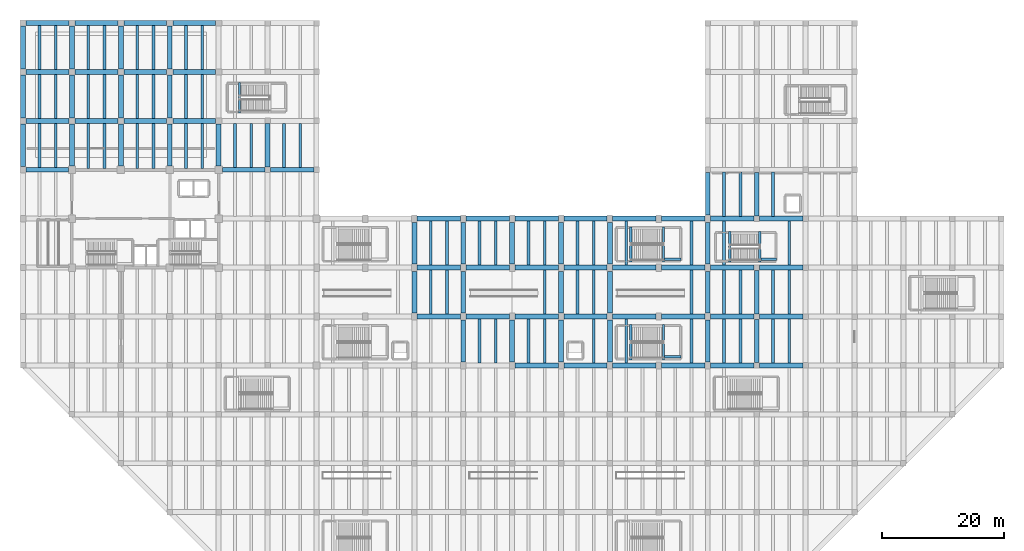
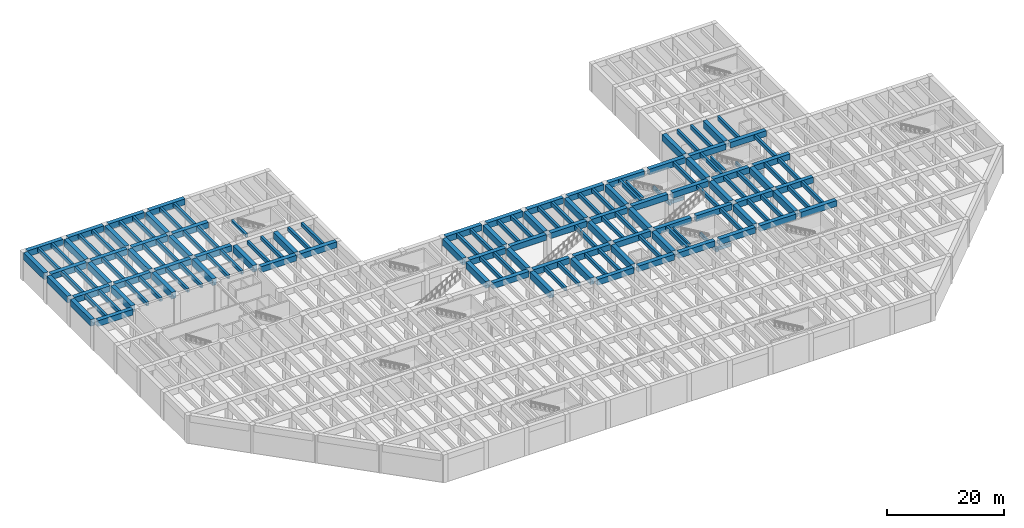
# One storey, part 4 of 24: 153 beams.
"""IFC4 building model written with IfcOpenShell, lengths in metres."""

from ifc_helpers import new_model, si_unit, direction, frame, origin, origin_2d, place, context, subcontext, project, spatial, rectangle, extrude, material, material_profile, profile_set, type_object, element, save


model = new_model("IFC4")

# Units and contexts
model_context = context("Model", 3, precision=1e-05, world=origin(), true_north=direction((0.0, 1.0)))
body_context = subcontext(model_context, "Body", "Model", "MODEL_VIEW")
ifc_project = project(units=[si_unit("LENGTHUNIT", "METRE"), si_unit("AREAUNIT", "SQUARE_METRE"), si_unit("VOLUMEUNIT", "CUBIC_METRE"), si_unit("PLANEANGLEUNIT", "RADIAN"), si_unit("MASSUNIT", "GRAM", prefix="KILO")], contexts=[model_context])

# Site, building, storey
site_placement = place(None, origin())
site = spatial("IfcSite", under=ifc_project, at=site_placement, CompositionType="ELEMENT")
building_placement = place(site_placement, origin())
building = spatial("IfcBuilding", under=site, at=building_placement, Name="Varnela Railside Interchange", CompositionType="ELEMENT")
storey_placement = place(building_placement, frame((0.0, 0.0, -6.300048828125)))
storey = spatial("IfcBuildingStorey", under=building, at=storey_placement, Name="B1", CompositionType="ELEMENT", Elevation=-6.300048828125)

# Beams
ifc_material_1 = material(Name="Concrete C50", Category="concrete")
ifc_material_profile_1 = material_profile(ifc_material_1, rectangle(XDim=0.800048828125, YDim=1.199951171875, at=origin_2d()), Name="RC 800x1200")
ifc_profile_set_1 = profile_set([ifc_material_profile_1], Name="Concrete C50")
beam_type_1 = type_object("IfcBeamType", Name="Bus Deck Heavy Girder B-09", PredefinedType="BEAM", material=ifc_profile_set_1)
for number, where, z_axis, x_axis, name in (
    (1, (84.449951171875, 38.0, 5.25), (1.0, 0.0, 0.0), (0.0, 1.0, 0.0), "Bus Deck Heavy Girder B-09 (B1) (BM-0737)"),
    (2, (92.449951171875, 38.0, 5.25), (1.0, 0.0, 0.0), (0.0, 1.0, 0.0), "Bus Deck Heavy Girder B-09 (B1) (BM-0738)"),
    (3, (100.449951171875, 38.0, 5.25), (1.0, 0.0, 0.0), (0.0, 1.0, 0.0), "Bus Deck Heavy Girder B-09 (B1) (BM-0719)"),
    (4, (108.449951171875, 38.0, 5.25), (1.0, 0.0, 0.0), (0.0, 1.0, 0.0), "Bus Deck Heavy Girder B-09 (B1) (BM-0720)"),
    (5, (116.449951171875, 38.0, 5.25), (1.0, 0.0, 0.0), (0.0, 1.0, 0.0), "Bus Deck Heavy Girder B-09 (B1) (BM-0721)"),
    (6, (124.449951171875, 38.0, 5.25), (1.0, 0.0, 0.0), (0.0, 1.0, 0.0), "Bus Deck Heavy Girder B-09 (B1) (BM-0722)"),
    (7, (68.449951171875, 46.0, 5.25), (1.0, 0.0, 0.0), (0.0, 1.0, 0.0), "Bus Deck Heavy Girder B-09 (B1) (BM-0755)"),
    (8, (76.449951171875, 46.0, 5.25), (1.0, 0.0, 0.0), (0.0, 1.0, 0.0), "Bus Deck Heavy Girder B-09 (B1) (BM-0756)"),
    (9, (84.449951171875, 46.0, 5.25), (1.0, 0.0, 0.0), (0.0, 1.0, 0.0), "Bus Deck Heavy Girder B-09 (B1) (BM-0757)"),
    (10, (92.449951171875, 46.0, 5.25), (1.0, 0.0, 0.0), (0.0, 1.0, 0.0), "Bus Deck Heavy Girder B-09 (B1) (BM-0758)"),
    (11, (100.449951171875, 46.0, 5.25), (1.0, 0.0, 0.0), (0.0, 1.0, 0.0), "Bus Deck Heavy Girder B-09 (B1) (BM-0739)"),
    (12, (108.449951171875, 46.0, 5.25), (1.0, 0.0, 0.0), (0.0, 1.0, 0.0), "Bus Deck Heavy Girder B-09 (B1) (BM-0740)"),
    (13, (116.449951171875, 46.0, 5.25), (1.0, 0.0, 0.0), (0.0, 1.0, 0.0), "Bus Deck Heavy Girder B-09 (B1) (BM-0741)"),
    (14, (124.449951171875, 46.0, 5.25), (1.0, 0.0, 0.0), (0.0, 1.0, 0.0), "Bus Deck Heavy Girder B-09 (B1) (BM-0742)"),
    (15, (68.449951171875, 54.0, 5.25), (1.0, 0.0, 0.0), (0.0, 1.0, 0.0), "Bus Deck Heavy Girder B-09 (B1) (BM-0772)"),
    (16, (76.449951171875, 54.0, 5.25), (1.0, 0.0, 0.0), (0.0, 1.0, 0.0), "Bus Deck Heavy Girder B-09 (B1) (BM-0773)"),
    (17, (84.449951171875, 54.0, 5.25), (1.0, 0.0, 0.0), (0.0, 1.0, 0.0), "Bus Deck Heavy Girder B-09 (B1) (BM-0774)"),
    (18, (92.449951171875, 54.0, 5.25), (1.0, 0.0, 0.0), (0.0, 1.0, 0.0), "Bus Deck Heavy Girder B-09 (B1) (BM-0775)"),
    (19, (100.449951171875, 54.0, 5.25), (1.0, 0.0, 0.0), (0.0, 1.0, 0.0), "Bus Deck Heavy Girder B-09 (B1) (BM-0759)"),
    (20, (108.449951171875, 54.0, 5.25), (1.0, 0.0, 0.0), (0.0, 1.0, 0.0), "Bus Deck Heavy Girder B-09 (B1) (BM-0760)"),
    (21, (116.449951171875, 54.0, 5.25), (1.0, 0.0, 0.0), (0.0, 1.0, 0.0), "Bus Deck Heavy Girder B-09 (B1) (BM-0761)"),
    (22, (124.449951171875, 54.0, 5.25), (1.0, 0.0, 0.0), (0.0, 1.0, 0.0), "Bus Deck Heavy Girder B-09 (B1) (BM-0762)"),
    (23, (68.449951171875, 62.0, 5.25), (1.0, 0.0, 0.0), (0.0, 1.0, 0.0), "Bus Deck Heavy Girder B-09 (B1) (BM-0789)"),
    (24, (76.449951171875, 62.0, 5.25), (1.0, 0.0, 0.0), (0.0, 1.0, 0.0), "Bus Deck Heavy Girder B-09 (B1) (BM-0790)"),
    (25, (84.449951171875, 62.0, 5.25), (1.0, 0.0, 0.0), (0.0, 1.0, 0.0), "Bus Deck Heavy Girder B-09 (B1) (BM-0791)"),
    (26, (92.449951171875, 62.0, 5.25), (1.0, 0.0, 0.0), (0.0, 1.0, 0.0), "Bus Deck Heavy Girder B-09 (B1) (BM-0792)"),
    (27, (100.449951171875, 62.0, 5.25), (1.0, 0.0, 0.0), (0.0, 1.0, 0.0), "Bus Deck Heavy Girder B-09 (B1) (BM-0776)"),
    (28, (108.449951171875, 62.0, 5.25), (1.0, 0.0, 0.0), (0.0, 1.0, 0.0), "Bus Deck Heavy Girder B-09 (B1) (BM-0777)"),
    (29, (116.449951171875, 62.0, 5.25), (1.0, 0.0, 0.0), (0.0, 1.0, 0.0), "Bus Deck Heavy Girder B-09 (B1) (BM-0778)"),
    (30, (124.449951171875, 62.0, 5.25), (1.0, 0.0, 0.0), (0.0, 1.0, 0.0), "Bus Deck Heavy Girder B-09 (B1) (BM-0779)"),
):
    element("IfcBeam", number, at=place(storey_placement, frame(where, z_axis=z_axis, x_axis=x_axis)), inside=storey, type_object=beam_type_1, Name=name, PredefinedType="BEAM", context=body_context, shape_type="SweptSolid", body=[
        extrude(rectangle(XDim=0.800048828125, YDim=1.199951171875, at=origin_2d()), origin(), (0.0, 0.0, 1.0), 7.10009765625),
    ])
beam_1_placement = place(storey_placement, frame((4.5, 70.0, 5.25), z_axis=(1.0, 0.0, 0.0), x_axis=(0.0, 1.0, 0.0)))
element("IfcBeam", 31, at=beam_1_placement, inside=storey, type_object=beam_type_1, Name="Bus Deck Heavy Girder B-09 (B1) (BM-0798)", PredefinedType="BEAM", context=body_context, shape_type="SweptSolid", body=[
    extrude(rectangle(XDim=0.800048828125, YDim=1.199951171875, at=origin_2d()), origin(), (0.0, 0.0, 1.0), 6.89990234375),
])
beam_2_placement = place(storey_placement, frame((36.60009765625, 70.0, 5.25), z_axis=(1.0, 0.0, 0.0), x_axis=(0.0, 1.0, 0.0)))
element("IfcBeam", 32, at=beam_2_placement, inside=storey, type_object=beam_type_1, Name="Bus Deck Heavy Girder B-09 (B1) (BM-0796)", PredefinedType="BEAM", context=body_context, shape_type="SweptSolid", body=[
    extrude(rectangle(XDim=0.800048828125, YDim=1.199951171875, at=origin_2d()), origin(), (0.0, 0.0, 1.0), 6.949951171875),
])
beam_3_placement = place(storey_placement, frame((44.449951171875, 70.0, 5.25), z_axis=(1.0, 0.0, 0.0), x_axis=(0.0, 1.0, 0.0)))
element("IfcBeam", 33, at=beam_3_placement, inside=storey, type_object=beam_type_1, Name="Bus Deck Heavy Girder B-09 (B1) (BM-0797)", PredefinedType="BEAM", context=body_context, shape_type="SweptSolid", body=[
    extrude(rectangle(XDim=0.800048828125, YDim=1.199951171875, at=origin_2d()), origin(), (0.0, 0.0, 1.0), 7.10009765625),
])
for number, where, z_axis, x_axis, name in (
    (34, (4.5, 78.0, 5.25), (1.0, 0.0, 0.0), (0.0, 1.0, 0.0), "Bus Deck Heavy Girder B-09 (B1) (BM-0807)"),
    (35, (12.5, 78.0, 5.25), (1.0, 0.0, 0.0), (0.0, 1.0, 0.0), "Bus Deck Heavy Girder B-09 (B1) (BM-0801)"),
    (36, (20.5, 78.0, 5.25), (1.0, 0.0, 0.0), (0.0, 1.0, 0.0), "Bus Deck Heavy Girder B-09 (B1) (BM-0803)"),
    (37, (28.5, 78.0, 5.25), (1.0, 0.0, 0.0), (0.0, 1.0, 0.0), "Bus Deck Heavy Girder B-09 (B1) (BM-0804)"),
    (38, (4.5, 86.0, 5.25), (1.0, 0.0, 0.0), (0.0, 1.0, 0.0), "Bus Deck Heavy Girder B-09 (B1) (BM-0816)"),
    (39, (12.5, 86.0, 5.25), (1.0, 0.0, 0.0), (0.0, 1.0, 0.0), "Bus Deck Heavy Girder B-09 (B1) (BM-0810)"),
    (40, (20.5, 86.0, 5.25), (1.0, 0.0, 0.0), (0.0, 1.0, 0.0), "Bus Deck Heavy Girder B-09 (B1) (BM-0812)"),
    (41, (28.5, 86.0, 5.25), (1.0, 0.0, 0.0), (0.0, 1.0, 0.0), "Bus Deck Heavy Girder B-09 (B1) (BM-0813)"),
    (42, (4.5, 94.0, 5.25), (1.0, 0.0, 0.0), (0.0, 1.0, 0.0), "Bus Deck Heavy Girder B-09 (B1) (BM-0825)"),
    (43, (12.5, 94.0, 5.25), (1.0, 0.0, 0.0), (0.0, 1.0, 0.0), "Bus Deck Heavy Girder B-09 (B1) (BM-0819)"),
    (44, (20.5, 94.0, 5.25), (1.0, 0.0, 0.0), (0.0, 1.0, 0.0), "Bus Deck Heavy Girder B-09 (B1) (BM-0821)"),
    (45, (28.5, 94.0, 5.25), (1.0, 0.0, 0.0), (0.0, 1.0, 0.0), "Bus Deck Heavy Girder B-09 (B1) (BM-0822)"),
):
    element("IfcBeam", number, at=place(storey_placement, frame(where, z_axis=z_axis, x_axis=x_axis)), inside=storey, type_object=beam_type_1, Name=name, PredefinedType="BEAM", context=body_context, shape_type="SweptSolid", body=[
        extrude(rectangle(XDim=0.800048828125, YDim=1.199951171875, at=origin_2d()), origin(), (0.0, 0.0, 1.0), 7.0),
    ])
ifc_material_profile_2 = material_profile(ifc_material_1, rectangle(XDim=0.800048828125, YDim=1.39990234375, at=origin_2d()), Name="RC 800x1400")
ifc_profile_set_2 = profile_set([ifc_material_profile_2], Name="Concrete C50")
beam_type_2 = type_object("IfcBeamType", Name="Bus Deck Portal Girder B-10", PredefinedType="BEAM", material=ifc_profile_set_2)
for number, where, z_axis, x_axis, name in (
    (46, (4.0, 70.5, 5.150146484375), (0.0, 1.0, 0.0), (-1.0, 0.0, 0.0), "Bus Deck Portal Girder B-10 (B1) (BM-0905)"),
    (47, (4.0, 78.5, 5.150146484375), (0.0, 1.0, 0.0), (-1.0, 0.0, 0.0), "Bus Deck Portal Girder B-10 (B1) (BM-0906)"),
    (48, (4.0, 86.5, 5.150146484375), (0.0, 1.0, 0.0), (-1.0, 0.0, 0.0), "Bus Deck Portal Girder B-10 (B1) (BM-0907)"),
):
    element("IfcBeam", number, at=place(storey_placement, frame(where, z_axis=z_axis, x_axis=x_axis)), inside=storey, type_object=beam_type_2, Name=name, PredefinedType="BEAM", context=body_context, shape_type="SweptSolid", body=[
        extrude(rectangle(XDim=0.800048828125, YDim=1.39990234375, at=origin_2d()), origin(), (0.0, 0.0, 1.0), 7.0),
    ])
beam_4_placement = place(storey_placement, frame((12.0, 70.60009765625, 5.150146484375), z_axis=(0.0, 1.0, 0.0), x_axis=(-1.0, 0.0, 0.0)))
element("IfcBeam", 49, at=beam_4_placement, inside=storey, type_object=beam_type_2, Name="Bus Deck Portal Girder B-10 (B1) (BM-0917)", PredefinedType="BEAM", context=body_context, shape_type="SweptSolid", body=[
    extrude(rectangle(XDim=0.800048828125, YDim=1.39990234375, at=origin_2d()), origin(), (0.0, 0.0, 1.0), 6.89990234375),
])
for number, where, z_axis, x_axis, name in (
    (50, (12.0, 78.5, 5.150146484375), (0.0, 1.0, 0.0), (-1.0, 0.0, 0.0), "Bus Deck Portal Girder B-10 (B1) (BM-0918)"),
    (51, (12.0, 86.5, 5.150146484375), (0.0, 1.0, 0.0), (-1.0, 0.0, 0.0), "Bus Deck Portal Girder B-10 (B1) (BM-0919)"),
):
    element("IfcBeam", number, at=place(storey_placement, frame(where, z_axis=z_axis, x_axis=x_axis)), inside=storey, type_object=beam_type_2, Name=name, PredefinedType="BEAM", context=body_context, shape_type="SweptSolid", body=[
        extrude(rectangle(XDim=0.800048828125, YDim=1.39990234375, at=origin_2d()), origin(), (0.0, 0.0, 1.0), 7.0),
    ])
beam_5_placement = place(storey_placement, frame((20.0, 70.60009765625, 5.150146484375), z_axis=(0.0, 1.0, 0.0), x_axis=(-1.0, 0.0, 0.0)))
element("IfcBeam", 52, at=beam_5_placement, inside=storey, type_object=beam_type_2, Name="Bus Deck Portal Girder B-10 (B1) (BM-0924)", PredefinedType="BEAM", context=body_context, shape_type="SweptSolid", body=[
    extrude(rectangle(XDim=0.800048828125, YDim=1.39990234375, at=origin_2d()), origin(), (0.0, 0.0, 1.0), 6.89990234375),
])
for number, where, z_axis, x_axis, name in (
    (53, (20.0, 78.5, 5.150146484375), (0.0, 1.0, 0.0), (-1.0, 0.0, 0.0), "Bus Deck Portal Girder B-10 (B1) (BM-0925)"),
    (54, (20.0, 86.5, 5.150146484375), (0.0, 1.0, 0.0), (-1.0, 0.0, 0.0), "Bus Deck Portal Girder B-10 (B1) (BM-0926)"),
):
    element("IfcBeam", number, at=place(storey_placement, frame(where, z_axis=z_axis, x_axis=x_axis)), inside=storey, type_object=beam_type_2, Name=name, PredefinedType="BEAM", context=body_context, shape_type="SweptSolid", body=[
        extrude(rectangle(XDim=0.800048828125, YDim=1.39990234375, at=origin_2d()), origin(), (0.0, 0.0, 1.0), 7.0),
    ])
beam_6_placement = place(storey_placement, frame((28.0, 70.60009765625, 5.150146484375), z_axis=(0.0, 1.0, 0.0), x_axis=(-1.0, 0.0, 0.0)))
element("IfcBeam", 55, at=beam_6_placement, inside=storey, type_object=beam_type_2, Name="Bus Deck Portal Girder B-10 (B1) (BM-0933)", PredefinedType="BEAM", context=body_context, shape_type="SweptSolid", body=[
    extrude(rectangle(XDim=0.800048828125, YDim=1.39990234375, at=origin_2d()), origin(), (0.0, 0.0, 1.0), 6.89990234375),
])
for number, where, z_axis, x_axis, name in (
    (56, (28.0, 78.5, 5.150146484375), (0.0, 1.0, 0.0), (-1.0, 0.0, 0.0), "Bus Deck Portal Girder B-10 (B1) (BM-0934)"),
    (57, (28.0, 86.5, 5.150146484375), (0.0, 1.0, 0.0), (-1.0, 0.0, 0.0), "Bus Deck Portal Girder B-10 (B1) (BM-0935)"),
):
    element("IfcBeam", number, at=place(storey_placement, frame(where, z_axis=z_axis, x_axis=x_axis)), inside=storey, type_object=beam_type_2, Name=name, PredefinedType="BEAM", context=body_context, shape_type="SweptSolid", body=[
        extrude(rectangle(XDim=0.800048828125, YDim=1.39990234375, at=origin_2d()), origin(), (0.0, 0.0, 1.0), 7.0),
    ])
beam_7_placement = place(storey_placement, frame((36.0, 70.60009765625, 5.150146484375), z_axis=(0.0, 1.0, 0.0), x_axis=(-1.0, 0.0, 0.0)))
element("IfcBeam", 58, at=beam_7_placement, inside=storey, type_object=beam_type_2, Name="Bus Deck Portal Girder B-10 (B1) (BM-0942)", PredefinedType="BEAM", context=body_context, shape_type="SweptSolid", body=[
    extrude(rectangle(XDim=0.800048828125, YDim=1.39990234375, at=origin_2d()), origin(), (0.0, 0.0, 1.0), 6.89990234375),
])
beam_8_placement = place(storey_placement, frame((44.0, 70.449951171875, 5.150146484375), z_axis=(0.0, 1.0, 0.0), x_axis=(-1.0, 0.0, 0.0)))
element("IfcBeam", 59, at=beam_8_placement, inside=storey, type_object=beam_type_2, Name="Bus Deck Portal Girder B-10 (B1) (BM-0952)", PredefinedType="BEAM", context=body_context, shape_type="SweptSolid", body=[
    extrude(rectangle(XDim=0.800048828125, YDim=1.39990234375, at=origin_2d()), origin(), (0.0, 0.0, 1.0), 7.10009765625),
])
for number, where, z_axis, x_axis, name in (
    (60, (68.0, 46.60009765625, 5.150146484375), (0.0, 1.0, 0.0), (-1.0, 0.0, 0.0), "Bus Deck Portal Girder B-10 (B1) (BM-0972)"),
    (61, (68.0, 54.60009765625, 5.150146484375), (0.0, 1.0, 0.0), (-1.0, 0.0, 0.0), "Bus Deck Portal Girder B-10 (B1) (BM-0973)"),
    (62, (76.0, 38.60009765625, 5.150146484375), (0.0, 1.0, 0.0), (-1.0, 0.0, 0.0), "Bus Deck Portal Girder B-10 (B1) (BM-0829)"),
    (63, (76.0, 46.60009765625, 5.150146484375), (0.0, 1.0, 0.0), (-1.0, 0.0, 0.0), "Bus Deck Portal Girder B-10 (B1) (BM-0830)"),
    (64, (76.0, 54.60009765625, 5.150146484375), (0.0, 1.0, 0.0), (-1.0, 0.0, 0.0), "Bus Deck Portal Girder B-10 (B1) (BM-0831)"),
    (65, (84.0, 38.60009765625, 5.150146484375), (0.0, 1.0, 0.0), (-1.0, 0.0, 0.0), "Bus Deck Portal Girder B-10 (B1) (BM-0836)"),
    (66, (84.0, 54.60009765625, 5.150146484375), (0.0, 1.0, 0.0), (-1.0, 0.0, 0.0), "Bus Deck Portal Girder B-10 (B1) (BM-0837)"),
    (67, (92.0, 38.60009765625, 5.150146484375), (0.0, 1.0, 0.0), (-1.0, 0.0, 0.0), "Bus Deck Portal Girder B-10 (B1) (BM-0842)"),
    (68, (92.0, 46.60009765625, 5.150146484375), (0.0, 1.0, 0.0), (-1.0, 0.0, 0.0), "Bus Deck Portal Girder B-10 (B1) (BM-0843)"),
    (69, (92.0, 54.60009765625, 5.150146484375), (0.0, 1.0, 0.0), (-1.0, 0.0, 0.0), "Bus Deck Portal Girder B-10 (B1) (BM-0844)"),
    (70, (100.0, 38.60009765625, 5.150146484375), (0.0, 1.0, 0.0), (-1.0, 0.0, 0.0), "Bus Deck Portal Girder B-10 (B1) (BM-0849)"),
    (71, (100.0, 46.60009765625, 5.150146484375), (0.0, 1.0, 0.0), (-1.0, 0.0, 0.0), "Bus Deck Portal Girder B-10 (B1) (BM-0850)"),
    (72, (100.0, 54.60009765625, 5.150146484375), (0.0, 1.0, 0.0), (-1.0, 0.0, 0.0), "Bus Deck Portal Girder B-10 (B1) (BM-0851)"),
    (73, (116.0, 38.60009765625, 5.150146484375), (0.0, 1.0, 0.0), (-1.0, 0.0, 0.0), "Bus Deck Portal Girder B-10 (B1) (BM-0859)"),
    (74, (116.0, 46.60009765625, 5.150146484375), (0.0, 1.0, 0.0), (-1.0, 0.0, 0.0), "Bus Deck Portal Girder B-10 (B1) (BM-0860)"),
    (75, (116.0, 54.60009765625, 5.150146484375), (0.0, 1.0, 0.0), (-1.0, 0.0, 0.0), "Bus Deck Portal Girder B-10 (B1) (BM-0861)"),
):
    element("IfcBeam", number, at=place(storey_placement, frame(where, z_axis=z_axis, x_axis=x_axis)), inside=storey, type_object=beam_type_2, Name=name, PredefinedType="BEAM", context=body_context, shape_type="SweptSolid", body=[
        extrude(rectangle(XDim=0.800048828125, YDim=1.39990234375, at=origin_2d()), origin(), (0.0, 0.0, 1.0), 6.7998046875),
    ])
beam_9_placement = place(storey_placement, frame((116.0, 62.60009765625, 5.150146484375), z_axis=(0.0, 1.0, 0.0), x_axis=(-1.0, 0.0, 0.0)))
element("IfcBeam", 76, at=beam_9_placement, inside=storey, type_object=beam_type_2, Name="Bus Deck Portal Girder B-10 (B1) (BM-0862)", PredefinedType="BEAM", context=body_context, shape_type="SweptSolid", body=[
    extrude(rectangle(XDim=0.800048828125, YDim=1.39990234375, at=origin_2d()), origin(), (0.0, 0.0, 1.0), 6.949951171875),
])
for number, where, z_axis, x_axis, name in (
    (77, (124.0, 38.449951171875, 5.150146484375), (0.0, 1.0, 0.0), (-1.0, 0.0, 0.0), "Bus Deck Portal Girder B-10 (B1) (BM-0869)"),
    (78, (124.0, 46.449951171875, 5.150146484375), (0.0, 1.0, 0.0), (-1.0, 0.0, 0.0), "Bus Deck Portal Girder B-10 (B1) (BM-0870)"),
    (79, (124.0, 62.449951171875, 5.150146484375), (0.0, 1.0, 0.0), (-1.0, 0.0, 0.0), "Bus Deck Portal Girder B-10 (B1) (BM-0871)"),
):
    element("IfcBeam", number, at=place(storey_placement, frame(where, z_axis=z_axis, x_axis=x_axis)), inside=storey, type_object=beam_type_2, Name=name, PredefinedType="BEAM", context=body_context, shape_type="SweptSolid", body=[
        extrude(rectangle(XDim=0.800048828125, YDim=1.39990234375, at=origin_2d()), origin(), (0.0, 0.0, 1.0), 7.10009765625),
    ])
ifc_material_2 = material(Name="Concrete C40", Category="concrete")
ifc_material_profile_3 = material_profile(ifc_material_2, rectangle(XDim=0.449951171875, YDim=0.800048828125, at=origin_2d()), Name="RC 450x800")
ifc_profile_set_3 = profile_set([ifc_material_profile_3], Name="Concrete C40")
beam_type_3 = type_object("IfcBeamType", Name="Concrete Secondary Beam B-02", PredefinedType="BEAM", material=ifc_profile_set_3)
for number, where, z_axis, x_axis, name in (
    (80, (6.669921875, 70.39990234375, 5.449951171875), (0.0, 1.0, 0.0), (-1.0, 0.0, 0.0), "Concrete Secondary Beam B-02 (B1) (BM-0405)"),
    (81, (9.330078125, 70.39990234375, 5.449951171875), (0.0, 1.0, 0.0), (-1.0, 0.0, 0.0), "Concrete Secondary Beam B-02 (B1) (BM-0406)"),
    (82, (6.669921875, 78.39990234375, 5.449951171875), (0.0, 1.0, 0.0), (-1.0, 0.0, 0.0), "Concrete Secondary Beam B-02 (B1) (BM-0407)"),
    (83, (9.330078125, 78.39990234375, 5.449951171875), (0.0, 1.0, 0.0), (-1.0, 0.0, 0.0), "Concrete Secondary Beam B-02 (B1) (BM-0408)"),
    (84, (6.669921875, 86.39990234375, 5.449951171875), (0.0, 1.0, 0.0), (-1.0, 0.0, 0.0), "Concrete Secondary Beam B-02 (B1) (BM-0395)"),
    (85, (9.330078125, 86.39990234375, 5.449951171875), (0.0, 1.0, 0.0), (-1.0, 0.0, 0.0), "Concrete Secondary Beam B-02 (B1) (BM-0396)"),
):
    element("IfcBeam", number, at=place(storey_placement, frame(where, z_axis=z_axis, x_axis=x_axis)), inside=storey, type_object=beam_type_3, Name=name, PredefinedType="BEAM", context=body_context, shape_type="SweptSolid", body=[
        extrude(rectangle(XDim=0.449951171875, YDim=0.800048828125, at=origin_2d()), origin(), (0.0, 0.0, 1.0), 7.2001953125),
    ])
for number, where, z_axis, x_axis, name in (
    (86, (14.669921875, 70.239990234375, 5.449951171875), (0.0, 1.0, 0.0), (-1.0, 0.0, 0.0), "Concrete Secondary Beam B-02 (B1) (BM-0541)"),
    (87, (17.330078125, 70.239990234375, 5.449951171875), (0.0, 1.0, 0.0), (-1.0, 0.0, 0.0), "Concrete Secondary Beam B-02 (B1) (BM-0542)"),
):
    element("IfcBeam", number, at=place(storey_placement, frame(where, z_axis=z_axis, x_axis=x_axis)), inside=storey, type_object=beam_type_3, Name=name, PredefinedType="BEAM", context=body_context, shape_type="SweptSolid", body=[
        extrude(rectangle(XDim=0.449951171875, YDim=0.800048828125, at=origin_2d()), origin(), (0.0, 0.0, 1.0), 7.360107421875),
    ])
for number, where, z_axis, x_axis, name in (
    (88, (14.669921875, 78.39990234375, 5.449951171875), (0.0, 1.0, 0.0), (-1.0, 0.0, 0.0), "Concrete Secondary Beam B-02 (B1) (BM-0543)"),
    (89, (17.330078125, 78.39990234375, 5.449951171875), (0.0, 1.0, 0.0), (-1.0, 0.0, 0.0), "Concrete Secondary Beam B-02 (B1) (BM-0544)"),
    (90, (14.669921875, 86.39990234375, 5.449951171875), (0.0, 1.0, 0.0), (-1.0, 0.0, 0.0), "Concrete Secondary Beam B-02 (B1) (BM-0533)"),
    (91, (17.330078125, 86.39990234375, 5.449951171875), (0.0, 1.0, 0.0), (-1.0, 0.0, 0.0), "Concrete Secondary Beam B-02 (B1) (BM-0534)"),
):
    element("IfcBeam", number, at=place(storey_placement, frame(where, z_axis=z_axis, x_axis=x_axis)), inside=storey, type_object=beam_type_3, Name=name, PredefinedType="BEAM", context=body_context, shape_type="SweptSolid", body=[
        extrude(rectangle(XDim=0.449951171875, YDim=0.800048828125, at=origin_2d()), origin(), (0.0, 0.0, 1.0), 7.2001953125),
    ])
for number, where, z_axis, x_axis, name in (
    (92, (22.669921875, 70.239990234375, 5.449951171875), (0.0, 1.0, 0.0), (-1.0, 0.0, 0.0), "Concrete Secondary Beam B-02 (B1) (BM-0555)"),
    (93, (25.330078125, 70.239990234375, 5.449951171875), (0.0, 1.0, 0.0), (-1.0, 0.0, 0.0), "Concrete Secondary Beam B-02 (B1) (BM-0556)"),
):
    element("IfcBeam", number, at=place(storey_placement, frame(where, z_axis=z_axis, x_axis=x_axis)), inside=storey, type_object=beam_type_3, Name=name, PredefinedType="BEAM", context=body_context, shape_type="SweptSolid", body=[
        extrude(rectangle(XDim=0.449951171875, YDim=0.800048828125, at=origin_2d()), origin(), (0.0, 0.0, 1.0), 7.360107421875),
    ])
for number, where, z_axis, x_axis, name in (
    (94, (22.669921875, 78.39990234375, 5.449951171875), (0.0, 1.0, 0.0), (-1.0, 0.0, 0.0), "Concrete Secondary Beam B-02 (B1) (BM-0557)"),
    (95, (25.330078125, 78.39990234375, 5.449951171875), (0.0, 1.0, 0.0), (-1.0, 0.0, 0.0), "Concrete Secondary Beam B-02 (B1) (BM-0558)"),
    (96, (22.669921875, 86.39990234375, 5.449951171875), (0.0, 1.0, 0.0), (-1.0, 0.0, 0.0), "Concrete Secondary Beam B-02 (B1) (BM-0545)"),
    (97, (25.330078125, 86.39990234375, 5.449951171875), (0.0, 1.0, 0.0), (-1.0, 0.0, 0.0), "Concrete Secondary Beam B-02 (B1) (BM-0546)"),
):
    element("IfcBeam", number, at=place(storey_placement, frame(where, z_axis=z_axis, x_axis=x_axis)), inside=storey, type_object=beam_type_3, Name=name, PredefinedType="BEAM", context=body_context, shape_type="SweptSolid", body=[
        extrude(rectangle(XDim=0.449951171875, YDim=0.800048828125, at=origin_2d()), origin(), (0.0, 0.0, 1.0), 7.2001953125),
    ])
for number, where, z_axis, x_axis, name in (
    (98, (30.669921875, 70.239990234375, 5.449951171875), (0.0, 1.0, 0.0), (-1.0, 0.0, 0.0), "Concrete Secondary Beam B-02 (B1) (BM-0571)"),
    (99, (33.330078125, 70.239990234375, 5.449951171875), (0.0, 1.0, 0.0), (-1.0, 0.0, 0.0), "Concrete Secondary Beam B-02 (B1) (BM-0572)"),
):
    element("IfcBeam", number, at=place(storey_placement, frame(where, z_axis=z_axis, x_axis=x_axis)), inside=storey, type_object=beam_type_3, Name=name, PredefinedType="BEAM", context=body_context, shape_type="SweptSolid", body=[
        extrude(rectangle(XDim=0.449951171875, YDim=0.800048828125, at=origin_2d()), origin(), (0.0, 0.0, 1.0), 7.360107421875),
    ])
for number, where, z_axis, x_axis, name in (
    (100, (30.669921875, 78.39990234375, 5.449951171875), (0.0, 1.0, 0.0), (-1.0, 0.0, 0.0), "Concrete Secondary Beam B-02 (B1) (BM-0573)"),
    (101, (33.330078125, 78.39990234375, 5.449951171875), (0.0, 1.0, 0.0), (-1.0, 0.0, 0.0), "Concrete Secondary Beam B-02 (B1) (BM-0574)"),
    (102, (30.669921875, 86.39990234375, 5.449951171875), (0.0, 1.0, 0.0), (-1.0, 0.0, 0.0), "Concrete Secondary Beam B-02 (B1) (BM-0559)"),
    (103, (33.330078125, 86.39990234375, 5.449951171875), (0.0, 1.0, 0.0), (-1.0, 0.0, 0.0), "Concrete Secondary Beam B-02 (B1) (BM-0560)"),
    (104, (38.669921875, 70.39990234375, 5.449951171875), (0.0, 1.0, 0.0), (-1.0, 0.0, 0.0), "Concrete Secondary Beam B-02 (B1) (BM-0592)"),
    (105, (41.330078125, 70.39990234375, 5.449951171875), (0.0, 1.0, 0.0), (-1.0, 0.0, 0.0), "Concrete Secondary Beam B-02 (B1) (BM-0593)"),
    (106, (46.669921875, 70.39990234375, 5.449951171875), (0.0, 1.0, 0.0), (-1.0, 0.0, 0.0), "Concrete Secondary Beam B-02 (B1) (BM-0612)"),
    (107, (49.330078125, 70.39990234375, 5.449951171875), (0.0, 1.0, 0.0), (-1.0, 0.0, 0.0), "Concrete Secondary Beam B-02 (B1) (BM-0613)"),
    (108, (70.669921875, 46.39990234375, 5.449951171875), (0.0, 1.0, 0.0), (-1.0, 0.0, 0.0), "Concrete Secondary Beam B-02 (B1) (BM-0643)"),
    (109, (73.330078125, 46.39990234375, 5.449951171875), (0.0, 1.0, 0.0), (-1.0, 0.0, 0.0), "Concrete Secondary Beam B-02 (B1) (BM-0644)"),
    (110, (70.669921875, 54.39990234375, 5.449951171875), (0.0, 1.0, 0.0), (-1.0, 0.0, 0.0), "Concrete Secondary Beam B-02 (B1) (BM-0645)"),
    (111, (73.330078125, 54.39990234375, 5.449951171875), (0.0, 1.0, 0.0), (-1.0, 0.0, 0.0), "Concrete Secondary Beam B-02 (B1) (BM-0646)"),
    (112, (78.669921875, 38.39990234375, 5.449951171875), (0.0, 1.0, 0.0), (-1.0, 0.0, 0.0), "Concrete Secondary Beam B-02 (B1) (BM-0655)"),
    (113, (81.330078125, 38.39990234375, 5.449951171875), (0.0, 1.0, 0.0), (-1.0, 0.0, 0.0), "Concrete Secondary Beam B-02 (B1) (BM-0656)"),
    (114, (78.669921875, 54.39990234375, 5.449951171875), (0.0, 1.0, 0.0), (-1.0, 0.0, 0.0), "Concrete Secondary Beam B-02 (B1) (BM-0657)"),
    (115, (81.330078125, 54.39990234375, 5.449951171875), (0.0, 1.0, 0.0), (-1.0, 0.0, 0.0), "Concrete Secondary Beam B-02 (B1) (BM-0658)"),
    (116, (86.669921875, 38.39990234375, 5.449951171875), (0.0, 1.0, 0.0), (-1.0, 0.0, 0.0), "Concrete Secondary Beam B-02 (B1) (BM-0417)"),
    (117, (89.330078125, 38.39990234375, 5.449951171875), (0.0, 1.0, 0.0), (-1.0, 0.0, 0.0), "Concrete Secondary Beam B-02 (B1) (BM-0418)"),
    (118, (89.330078125, 46.39990234375, 5.449951171875), (0.0, 1.0, 0.0), (-1.0, 0.0, 0.0), "Concrete Secondary Beam B-02 (B1) (BM-0419)"),
    (119, (86.669921875, 54.39990234375, 5.449951171875), (0.0, 1.0, 0.0), (-1.0, 0.0, 0.0), "Concrete Secondary Beam B-02 (B1) (BM-0420)"),
    (120, (89.330078125, 54.39990234375, 5.449951171875), (0.0, 1.0, 0.0), (-1.0, 0.0, 0.0), "Concrete Secondary Beam B-02 (B1) (BM-0421)"),
    (121, (97.330078125, 38.39990234375, 5.449951171875), (0.0, 1.0, 0.0), (-1.0, 0.0, 0.0), "Concrete Secondary Beam B-02 (B1) (BM-0430)"),
    (122, (94.669921875, 46.39990234375, 5.449951171875), (0.0, 1.0, 0.0), (-1.0, 0.0, 0.0), "Concrete Secondary Beam B-02 (B1) (BM-0431)"),
    (123, (97.330078125, 46.39990234375, 5.449951171875), (0.0, 1.0, 0.0), (-1.0, 0.0, 0.0), "Concrete Secondary Beam B-02 (B1) (BM-0432)"),
    (124, (94.669921875, 54.39990234375, 5.449951171875), (0.0, 1.0, 0.0), (-1.0, 0.0, 0.0), "Concrete Secondary Beam B-02 (B1) (BM-0433)"),
    (125, (97.330078125, 54.39990234375, 5.449951171875), (0.0, 1.0, 0.0), (-1.0, 0.0, 0.0), "Concrete Secondary Beam B-02 (B1) (BM-0434)"),
    (126, (102.669921875, 38.39990234375, 5.449951171875), (0.0, 1.0, 0.0), (-1.0, 0.0, 0.0), "Concrete Secondary Beam B-02 (B1) (BM-0442)"),
    (127, (102.669921875, 54.39990234375, 5.449951171875), (0.0, 1.0, 0.0), (-1.0, 0.0, 0.0), "Concrete Secondary Beam B-02 (B1) (BM-0443)"),
    (128, (113.330078125, 38.39990234375, 5.449951171875), (0.0, 1.0, 0.0), (-1.0, 0.0, 0.0), "Concrete Secondary Beam B-02 (B1) (BM-0451)"),
    (129, (113.330078125, 46.39990234375, 5.449951171875), (0.0, 1.0, 0.0), (-1.0, 0.0, 0.0), "Concrete Secondary Beam B-02 (B1) (BM-0452)"),
    (130, (113.330078125, 54.39990234375, 5.449951171875), (0.0, 1.0, 0.0), (-1.0, 0.0, 0.0), "Concrete Secondary Beam B-02 (B1) (BM-0453)"),
    (131, (118.669921875, 38.39990234375, 5.449951171875), (0.0, 1.0, 0.0), (-1.0, 0.0, 0.0), "Concrete Secondary Beam B-02 (B1) (BM-0463)"),
    (132, (121.330078125, 38.39990234375, 5.449951171875), (0.0, 1.0, 0.0), (-1.0, 0.0, 0.0), "Concrete Secondary Beam B-02 (B1) (BM-0464)"),
    (133, (118.669921875, 46.39990234375, 5.449951171875), (0.0, 1.0, 0.0), (-1.0, 0.0, 0.0), "Concrete Secondary Beam B-02 (B1) (BM-0465)"),
    (134, (121.330078125, 46.39990234375, 5.449951171875), (0.0, 1.0, 0.0), (-1.0, 0.0, 0.0), "Concrete Secondary Beam B-02 (B1) (BM-0466)"),
    (135, (118.669921875, 54.39990234375, 5.449951171875), (0.0, 1.0, 0.0), (-1.0, 0.0, 0.0), "Concrete Secondary Beam B-02 (B1) (BM-0467)"),
    (136, (118.669921875, 62.39990234375, 5.449951171875), (0.0, 1.0, 0.0), (-1.0, 0.0, 0.0), "Concrete Secondary Beam B-02 (B1) (BM-0468)"),
    (137, (121.330078125, 62.39990234375, 5.449951171875), (0.0, 1.0, 0.0), (-1.0, 0.0, 0.0), "Concrete Secondary Beam B-02 (B1) (BM-0469)"),
    (138, (126.669921875, 38.39990234375, 5.449951171875), (0.0, 1.0, 0.0), (-1.0, 0.0, 0.0), "Concrete Secondary Beam B-02 (B1) (BM-0483)"),
    (139, (129.330078125, 38.39990234375, 5.449951171875), (0.0, 1.0, 0.0), (-1.0, 0.0, 0.0), "Concrete Secondary Beam B-02 (B1) (BM-0484)"),
    (140, (126.669921875, 46.39990234375, 5.449951171875), (0.0, 1.0, 0.0), (-1.0, 0.0, 0.0), "Concrete Secondary Beam B-02 (B1) (BM-0485)"),
    (141, (129.330078125, 46.39990234375, 5.449951171875), (0.0, 1.0, 0.0), (-1.0, 0.0, 0.0), "Concrete Secondary Beam B-02 (B1) (BM-0486)"),
    (142, (129.330078125, 54.39990234375, 5.449951171875), (0.0, 1.0, 0.0), (-1.0, 0.0, 0.0), "Concrete Secondary Beam B-02 (B1) (BM-0487)"),
    (143, (126.669921875, 62.39990234375, 5.449951171875), (0.0, 1.0, 0.0), (-1.0, 0.0, 0.0), "Concrete Secondary Beam B-02 (B1) (BM-0488)"),
):
    element("IfcBeam", number, at=place(storey_placement, frame(where, z_axis=z_axis, x_axis=x_axis)), inside=storey, type_object=beam_type_3, Name=name, PredefinedType="BEAM", context=body_context, shape_type="SweptSolid", body=[
        extrude(rectangle(XDim=0.449951171875, YDim=0.800048828125, at=origin_2d()), origin(), (0.0, 0.0, 1.0), 7.2001953125),
    ])
ifc_material_profile_4 = material_profile(ifc_material_2, rectangle(XDim=0.39990234375, YDim=0.699951171875, at=origin_2d()), Name="RC 400x700")
ifc_profile_set_4 = profile_set([ifc_material_profile_4], Name="Concrete C40")
beam_type_4 = type_object("IfcBeamType", Name="Concrete Tie Beam B-01", PredefinedType="BEAM", material=ifc_profile_set_4)
for number, where, z_axis, x_axis, name in (
    (144, (119.60009765625, 54.919921875, 5.5), (0.0, 1.0, 0.0), (-1.0, 0.0, 0.0), "Concrete Tie Beam B-01 (B1) (BM-1015)"),
    (145, (124.530029296875, 54.919921875, 2.64013671875), (0.0, 1.0, 0.0), (-1.0, 0.0, 0.0), "Concrete Tie Beam B-01 (B1) (BM-1001)"),
):
    element("IfcBeam", number, at=place(storey_placement, frame(where, z_axis=z_axis, x_axis=x_axis)), inside=storey, type_object=beam_type_4, Name=name, PredefinedType="BEAM", context=body_context, shape_type="SweptSolid", body=[
        extrude(rectangle(XDim=0.39990234375, YDim=0.699951171875, at=origin_2d()), origin(), (0.0, 0.0, 1.0), 4.9599609375),
    ])
beam_10_placement = place(storey_placement, frame((124.72998046875, 55.39990234375, 2.64013671875), z_axis=(1.0, 0.0, 0.0), x_axis=(0.0, 1.0, 0.0)))
element("IfcBeam", 146, at=beam_10_placement, inside=storey, type_object=beam_type_4, Name="Concrete Tie Beam B-01 (B1) (BM-0987)", PredefinedType="BEAM", context=body_context, shape_type="SweptSolid", body=[
    extrude(rectangle(XDim=0.39990234375, YDim=0.699951171875, at=origin_2d()), origin(), (0.0, 0.0, 1.0), 2.489990234375),
])
for number, where, z_axis, x_axis, name in (
    (147, (103.39990234375, 38.919921875, 5.5), (0.0, 1.0, 0.0), (-1.0, 0.0, 0.0), "Concrete Tie Beam B-01 (B1) (BM-1012)"),
    (148, (108.7548828125, 38.919921875, 2.64013671875), (0.0, 1.0, 0.0), (-1.0, 0.0, 0.0), "Concrete Tie Beam B-01 (B1) (BM-0998)"),
):
    element("IfcBeam", number, at=place(storey_placement, frame(where, z_axis=z_axis, x_axis=x_axis)), inside=storey, type_object=beam_type_4, Name=name, PredefinedType="BEAM", context=body_context, shape_type="SweptSolid", body=[
        extrude(rectangle(XDim=0.39990234375, YDim=0.699951171875, at=origin_2d()), origin(), (0.0, 0.0, 1.0), 5.760009765625),
    ])
beam_11_placement = place(storey_placement, frame((108.955078125, 39.39990234375, 2.64013671875), z_axis=(1.0, 0.0, 0.0), x_axis=(0.0, 1.0, 0.0)))
element("IfcBeam", 149, at=beam_11_placement, inside=storey, type_object=beam_type_4, Name="Concrete Tie Beam B-01 (B1) (BM-0984)", PredefinedType="BEAM", context=body_context, shape_type="SweptSolid", body=[
    extrude(rectangle(XDim=0.39990234375, YDim=0.699951171875, at=origin_2d()), origin(), (0.0, 0.0, 1.0), 2.6650390625),
])
for number, where, z_axis, x_axis, name in (
    (150, (103.39990234375, 54.919921875, 5.5), (0.0, 1.0, 0.0), (-1.0, 0.0, 0.0), "Concrete Tie Beam B-01 (B1) (BM-1014)"),
    (151, (108.7548828125, 54.919921875, 2.64013671875), (0.0, 1.0, 0.0), (-1.0, 0.0, 0.0), "Concrete Tie Beam B-01 (B1) (BM-1000)"),
):
    element("IfcBeam", number, at=place(storey_placement, frame(where, z_axis=z_axis, x_axis=x_axis)), inside=storey, type_object=beam_type_4, Name=name, PredefinedType="BEAM", context=body_context, shape_type="SweptSolid", body=[
        extrude(rectangle(XDim=0.39990234375, YDim=0.699951171875, at=origin_2d()), origin(), (0.0, 0.0, 1.0), 5.760009765625),
    ])
beam_12_placement = place(storey_placement, frame((108.955078125, 55.39990234375, 2.64013671875), z_axis=(1.0, 0.0, 0.0), x_axis=(0.0, 1.0, 0.0)))
element("IfcBeam", 152, at=beam_12_placement, inside=storey, type_object=beam_type_4, Name="Concrete Tie Beam B-01 (B1) (BM-0986)", PredefinedType="BEAM", context=body_context, shape_type="SweptSolid", body=[
    extrude(rectangle(XDim=0.39990234375, YDim=0.699951171875, at=origin_2d()), origin(), (0.0, 0.0, 1.0), 2.6650390625),
])
beam_13_placement = place(storey_placement, frame((39.39990234375, 79.320068359375, 5.5), z_axis=(0.0, 1.0, 0.0), x_axis=(-1.0, 0.0, 0.0)))
element("IfcBeam", 153, at=beam_13_placement, inside=storey, type_object=beam_type_4, Name="Concrete Tie Beam B-01 (B1) (BM-1023)", PredefinedType="BEAM", context=body_context, shape_type="SweptSolid", body=[
    extrude(rectangle(XDim=0.39990234375, YDim=0.699951171875, at=origin_2d()), origin(), (0.0, 0.0, 1.0), 4.9599609375),
])

save(model, "model.ifc")
